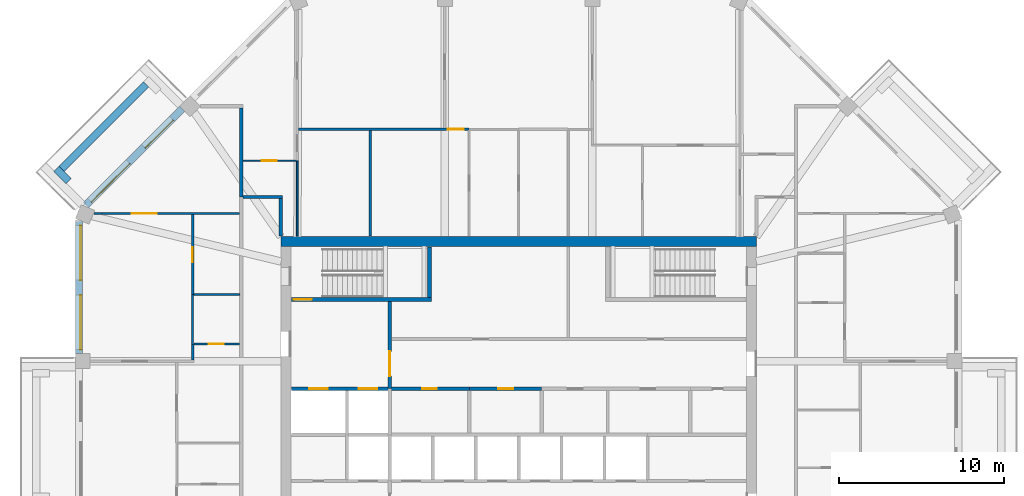
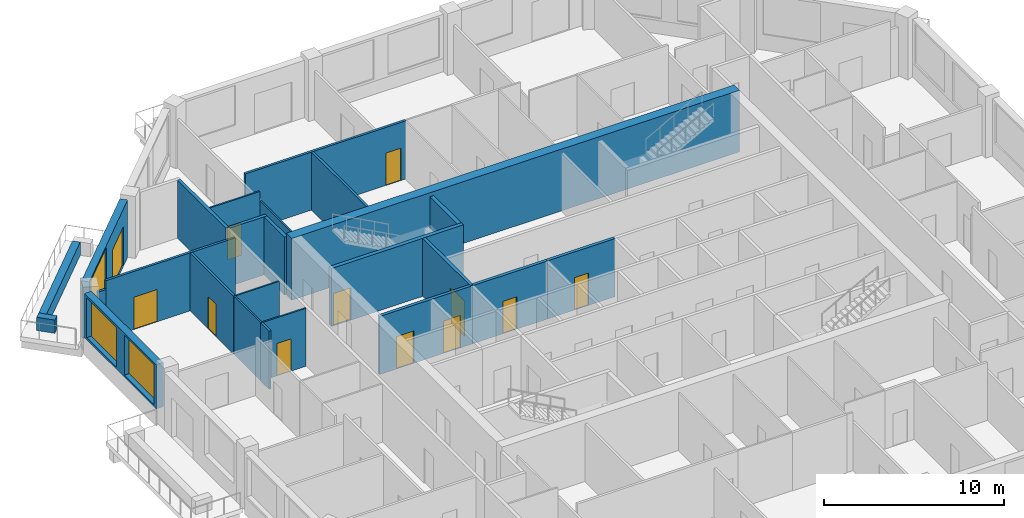
# One storey, part 7 of 12: 25 walls, 12 doors, 3 windows, 15 openings.
"""IFC4 building model written with IfcOpenShell, lengths in metres."""

import ifcopenshell
import ifcopenshell.guid

model = None  # the IFC model being written
_history = None  # IfcOwnerHistory: only IFC2X3 demands one
_inside = {}  # id of a spatial element -> (the spatial element, [elements in it])
_under = {}  # id of a project, library or spatial element -> (it, [spatial elements below it])
_declared = {}  # id of a project -> (the project, [libraries it declares])
_typed = {}  # id of a type object -> (the type object, [elements of that type])
_made_of = {}  # id of a material, layer set ... -> (it, [elements and type objects made of it])


def new_model(schema):
    """Start an empty IFC model of exactly this schema.

    Asked for "IFC4X3", IfcOpenShell would pick the latest addendum, in which some entities
    have other attributes; the version numbers below select the first issue.
    IFC2X3 requires an IfcOwnerHistory on every rooted entity: one is made here for all.
    """
    global model, _history
    if schema == "IFC4X3":
        model = ifcopenshell.file(schema_version=(4, 3, 0, 0))
    else:
        model = ifcopenshell.file(schema=schema)
    _inside.clear()
    _under.clear()
    _declared.clear()
    _typed.clear()
    _made_of.clear()
    _history = None
    if model.schema == "IFC2X3":
        org = make("IfcOrganization", Name="unknown")
        user = make(
            "IfcPersonAndOrganization",
            ThePerson=make("IfcPerson", FamilyName="unknown"),
            TheOrganization=org,
        )
        app = make(
            "IfcApplication",
            ApplicationDeveloper=org,
            Version="unknown",
            ApplicationFullName="unknown",
            ApplicationIdentifier="unknown",
        )
        _history = make(
            "IfcOwnerHistory",
            OwningUser=user,
            OwningApplication=app,
            ChangeAction="ADDED",
            CreationDate=0,
        )
    return model


def make(cls, **values):
    """One entity of the class cls with the attributes given. An attribute that is None is left unset."""
    return model.create_entity(
        cls, **{name: value for name, value in values.items() if value is not None}
    )


def rooted(cls, **values):
    """An entity with a GlobalId (a new one), such as an element, a storey or a relation."""
    return make(cls, GlobalId=ifcopenshell.guid.new(), OwnerHistory=_history, **values)


def si_unit(unit_type, name, prefix=None):
    """IfcSIUnit, for example si_unit("LENGTHUNIT", "METRE", prefix="MILLI")."""
    return make("IfcSIUnit", UnitType=unit_type, Prefix=prefix, Name=name)


def assignment(units):
    """IfcUnitAssignment: the units of a project."""
    return None if units is None else make("IfcUnitAssignment", Units=units)


def point(xyz):
    """IfcCartesianPoint."""
    return None if xyz is None else make("IfcCartesianPoint", Coordinates=xyz)


def direction(xyz):
    """IfcDirection."""
    return None if xyz is None else make("IfcDirection", DirectionRatios=xyz)


def frame(location, z_axis=None, x_axis=None):
    """IfcAxis2Placement3D, a coordinate frame: its origin and axes. An axis left out is left unset."""
    return make(
        "IfcAxis2Placement3D",
        Location=point(location),
        Axis=direction(z_axis),
        RefDirection=direction(x_axis),
    )


def frame_2d(location, x_axis=None):
    """IfcAxis2Placement2D, a coordinate frame in the plane: its origin and x axis."""
    return make(
        "IfcAxis2Placement2D", Location=point(location), RefDirection=direction(x_axis)
    )


def origin():
    """The frame at (0, 0, 0) with its axes left unset."""
    return frame((0.0, 0.0, 0.0))


def place(relative_to, where):
    """IfcLocalPlacement: puts the frame where relative to a parent placement (None: the world)."""
    return make(
        "IfcLocalPlacement", PlacementRelTo=relative_to, RelativePlacement=where
    )


def context(
    kind, dimensions, precision=None, world=None, true_north=None, identifier=None
):
    """IfcGeometricRepresentationContext, for example the 3D "Model" context."""
    return make(
        "IfcGeometricRepresentationContext",
        ContextIdentifier=identifier,
        ContextType=kind,
        CoordinateSpaceDimension=dimensions,
        Precision=precision,
        WorldCoordinateSystem=world,
        TrueNorth=true_north,
    )


def subcontext(parent, identifier, kind, view, scale=None):
    """IfcGeometricRepresentationSubContext, for example "Body" below "Model"."""
    return make(
        "IfcGeometricRepresentationSubContext",
        ContextIdentifier=identifier,
        ContextType=kind,
        ParentContext=parent,
        TargetScale=scale,
        TargetView=view,
    )


def project(units=None, contexts=None):
    """IfcProject with its units and contexts."""
    return rooted(
        "IfcProject",
        Name="project",
        RepresentationContexts=contexts,
        UnitsInContext=assignment(units),
    )


def spatial(cls, under=None, at=None, **own):
    """A site, building, storey or space (cls), placed at a placement, below another one or the project."""
    s = rooted(cls, ObjectPlacement=at, **own)
    if under is not None:
        _under.setdefault(under.id(), (under, []))[1].append(s)
    return s


def profile(cls, at=None, kind="AREA", **sizes):
    """A parametric profile (cls). Its sizes go by their IFC names, for example OverallWidth=200.0."""
    return make(cls, ProfileType=kind, Position=at, **sizes)


def rectangle(**sizes):
    """IfcRectangleProfileDef."""
    return profile("IfcRectangleProfileDef", **sizes)


def extrude(swept, where, along, depth):
    """IfcExtrudedAreaSolid: the profile swept, set in the frame where, extruded along a direction by depth."""
    return make(
        "IfcExtrudedAreaSolid",
        SweptArea=swept,
        Position=where,
        ExtrudedDirection=direction(along),
        Depth=depth,
    )


def shape(context_of_items, identifier, shape_type, items):
    """IfcShapeRepresentation: the items that make up one representation, for example the "Body"."""
    return make(
        "IfcShapeRepresentation",
        ContextOfItems=context_of_items,
        RepresentationIdentifier=identifier,
        RepresentationType=shape_type,
        Items=items,
    )


def material(Name=None, Category=None):
    """IfcMaterial."""
    return make("IfcMaterial", Name=Name, Category=Category)


def layer(
    of_material, thickness, ventilated=None, Name=None, Category=None, Priority=None
):
    """IfcMaterialLayer: one layer of a wall or slab, of a material (None: an air gap)."""
    return make(
        "IfcMaterialLayer",
        Material=of_material,
        LayerThickness=thickness,
        IsVentilated=ventilated,
        Name=Name,
        Category=Category,
        Priority=Priority,
    )


def layer_set(layers, Name=None):
    """IfcMaterialLayerSet."""
    return make("IfcMaterialLayerSet", MaterialLayers=layers, LayerSetName=Name)


def made_of(thing, what):
    """Note that an element or type object is made of a material, layer set ...; save() writes the relation."""
    if what is not None:
        _made_of.setdefault(what.id(), (what, []))[1].append(thing)
    return thing


def type_object(cls, material=None, **own):
    """A type object (cls), such as IfcWallType, which elements share."""
    return made_of(rooted(cls, **own), material)


def element(
    cls,
    number,
    at=None,
    inside=None,
    cuts=None,
    type_object=None,
    material=None,
    context=None,
    identifier="Body",
    shape_type=None,
    held_by="IfcProductDefinitionShape",
    body=None,
    shapes=None,
    **own,
):
    """One element of the class cls, such as IfcWall. Its Tag is "e" and its number.

    at: its placement. inside: the storey or other place that contains it. cuts: it is an
    opening in that element (IfcRelVoidsElement). A single representation is given by context,
    identifier, shape_type and body (its items); several are given by shapes. held_by: the class
    of the entity that holds the representations. save() writes the other relations.
    """
    e = rooted(cls, Tag="e%d" % number, ObjectPlacement=at, **own)
    if body is not None:
        shapes = [shape(context, identifier, shape_type, body)]
    if shapes is not None:
        e.Representation = make(held_by, Representations=shapes)
    if inside is not None:
        _inside.setdefault(inside.id(), (inside, []))[1].append(e)
    if cuts is not None:
        rooted(
            "IfcRelVoidsElement", RelatingBuildingElement=cuts, RelatedOpeningElement=e
        )
    if type_object is not None:
        _typed.setdefault(type_object.id(), (type_object, []))[1].append(e)
    return made_of(e, material)


def fill(opening, filler):
    """IfcRelFillsElement: the door or window that sits in an opening."""
    return rooted(
        "IfcRelFillsElement",
        RelatingOpeningElement=opening,
        RelatedBuildingElement=filler,
    )


def aggregate(whole, parts):
    """IfcRelAggregates: a whole, such as a stair, and the parts it consists of."""
    return rooted("IfcRelAggregates", RelatingObject=whole, RelatedObjects=parts)


def save(model, path):
    """Write the relations noted so far, then the file.

    IfcRelAggregates (storeys below a building ...), IfcRelContainedInSpatialStructure (elements
    in a storey), IfcRelDefinesByType, IfcRelAssociatesMaterial and IfcRelDeclares: one each for
    every whole, place, type object, material and project.
    """
    for whole, parts in _under.values():
        aggregate(whole, parts)
    for where, things in _inside.values():
        rooted(
            "IfcRelContainedInSpatialStructure",
            RelatedElements=things,
            RelatingStructure=where,
        )
    for kind, things in _typed.values():
        rooted("IfcRelDefinesByType", RelatedObjects=things, RelatingType=kind)
    for what, things in _made_of.values():
        rooted("IfcRelAssociatesMaterial", RelatedObjects=things, RelatingMaterial=what)
    for by, libraries in _declared.values():
        rooted("IfcRelDeclares", RelatingContext=by, RelatedDefinitions=libraries)
    model.write(path)


model = new_model("IFC4")

# Units and contexts
model_context = context("Model", 3, precision=1e-05, world=origin(), true_north=direction((0.0, 1.0)))
body_context = subcontext(model_context, "Body", "Model", "MODEL_VIEW")
ifc_project = project(units=[si_unit("LENGTHUNIT", "METRE"), si_unit("AREAUNIT", "SQUARE_METRE"), si_unit("VOLUMEUNIT", "CUBIC_METRE"), si_unit("PLANEANGLEUNIT", "RADIAN"), si_unit("MASSUNIT", "GRAM", prefix="KILO")], contexts=[model_context])

# Site, building, storey
site_placement = place(None, origin())
site = spatial("IfcSite", under=ifc_project, at=site_placement, CompositionType="ELEMENT")
building_placement = place(site_placement, origin())
building = spatial("IfcBuilding", under=site, at=building_placement, Name="Msitu Wima Residences", CompositionType="ELEMENT")
storey_placement = place(building_placement, frame((0.0, 0.0, 222.300048828125)))
storey = spatial("IfcBuildingStorey", under=building, at=storey_placement, Name="L51", CompositionType="ELEMENT", Elevation=222.300048828125)

# Walls
ifc_material_1 = material(Name="Facing brick")
ifc_layer_1 = layer(ifc_material_1, 0.06494140625, Name="Facing brick")
ifc_material_2 = material(Name="Concrete C40/50", Category="concrete")
ifc_layer_2 = layer(ifc_material_2, 0.156005859375, Name="Concrete C40/50")
ifc_material_3 = material(Name="Waterproofing membrane")
ifc_layer_3 = layer(ifc_material_3, 0.00390625, Name="Waterproofing membrane")
ifc_material_4 = material(Name="Planting soil and planting")
ifc_layer_4 = layer(ifc_material_4, 0.22509765625, Name="Planting soil and planting")
ifc_layer_set_1 = layer_set([ifc_layer_1, ifc_layer_2, ifc_layer_3, ifc_layer_4], Name="Concrete C40/50")
wall_type_1 = type_object("IfcWallType", Name="Balcony planter PLANTER PL450", PredefinedType="USERDEFINED", material=ifc_layer_set_1)
wall_1_placement = place(storey_placement, frame((-22.572265625, 21.228759765625, 0.0), z_axis=(0.0, 0.0, 1.0), x_axis=(-0.707106781187, -0.707106781187, 0.0)))
element("IfcWall", 1, at=wall_1_placement, inside=storey, type_object=wall_type_1, Name="Balcony planter NW1 L51", ObjectType="PLANTER", PredefinedType="USERDEFINED", context=body_context, shape_type="SweptSolid", body=[
    extrude(rectangle(XDim=7.23828125, YDim=0.449951171875, at=frame_2d((3.619140625, 0.0))), origin(), (0.0, 0.0, 1.0), 0.89990234375),
])
wall_2_placement = place(storey_placement, frame((-27.26611328125, 15.3681640625, 0.0), z_axis=(0.0, 0.0, 1.0), x_axis=(-0.707223014731, 0.706990528533, 0.0)))
element("IfcWall", 2, at=wall_2_placement, inside=storey, type_object=wall_type_1, Name="Balcony planter NW1 L51", ObjectType="PLANTER", PredefinedType="USERDEFINED", context=body_context, shape_type="SweptSolid", body=[
    extrude(rectangle(XDim=1.050048828125, YDim=0.449951171875, at=frame_2d((0.52490234375, 0.0))), origin(), (0.0, 0.0, 1.0), 0.89990234375),
])

# Wall, openings, door, window
ifc_material_5 = material(Name="Brick (red buff mix)", Category="masonry")
ifc_layer_5 = layer(ifc_material_5, 0.449951171875)
ifc_layer_set_2 = layer_set([ifc_layer_5], Name="Brick (red buff mix)")
wall_type_2 = type_object("IfcWallType", Name="Brick infill wall BW450", PredefinedType="SOLIDWALL", material=ifc_layer_set_2)
wall_3_placement = place(storey_placement, frame((-20.380126953125, 19.743896484375, 0.0), z_axis=(0.0, 0.0, 1.0), x_axis=(-0.707106781187, -0.707106781187, 0.0)))
wall_3 = element("IfcWall", 3, at=wall_3_placement, inside=storey, type_object=wall_type_2, Name="Brick infill wall L51 NW1", PredefinedType="SOLIDWALL", context=body_context, shape_type="SweptSolid", body=[
    extrude(rectangle(XDim=8.251220703125, YDim=0.449951171875, at=frame_2d((4.12548828125, 0.0))), origin(), (0.0, 0.0, 1.0), 3.89990234375),
])
opening_1_placement = place(wall_3_placement, frame((0.86279296875, 0.0, 0.0)))
opening_1 = element("IfcOpeningElement", 4, at=opening_1_placement, cuts=wall_3, Name="Opening D50-51.005", PredefinedType="OPENING", context=body_context, shape_type="SweptSolid", body=[
    extrude(rectangle(XDim=2.39990234375, YDim=2.699951171875, at=frame_2d((1.199951171875, 1.35009765625))), frame((0.0, 0.23486328125, 0.0), z_axis=(0.0, -1.0, 0.0), x_axis=(1.0, 0.0, 0.0)), (0.0, 0.0, 1.0), 0.469970703125),
])
opening_2_placement = place(wall_3_placement, frame((4.57568359375, 0.0, 1.050048828125)))
opening_2 = element("IfcOpeningElement", 5, at=opening_2_placement, cuts=wall_3, Name="Opening W50-51.015", PredefinedType="OPENING", context=body_context, shape_type="SweptSolid", body=[
    extrude(rectangle(XDim=3.300048828125, YDim=2.699951171875, at=frame_2d((1.64990234375, 1.35009765625))), frame((0.0, 0.23486328125, 0.0), z_axis=(0.0, -1.0, 0.0), x_axis=(1.0, 0.0, 0.0)), (0.0, 0.0, 1.0), 0.469970703125),
])
ifc_material_6 = material(Name="Anodised aluminium, bronze finish, clear low-emissivity double glazing", Category="aluminium")
door_type_1 = type_object("IfcDoorType", Name="Balcony door D2400x2700", OperationType="SLIDING_TO_LEFT", PredefinedType="DOOR", material=ifc_material_6)
door_1_placement = place(opening_1_placement, origin())
door_1 = element("IfcDoor", 6, at=door_1_placement, inside=storey, type_object=door_type_1, Name="Balcony door L51 NW1", OperationType="SINGLE_SWING_LEFT", OverallHeight=2.699951171875, OverallWidth=2.39990234375, PredefinedType="DOOR", context=body_context, shape_type="SweptSolid", body=[
    extrude(rectangle(XDim=2.39990234375, YDim=2.699951171875, at=frame_2d((1.199951171875, 1.35009765625))), frame((0.0, 0.1298828125, 0.0), z_axis=(0.0, -1.0, 0.0), x_axis=(1.0, 0.0, 0.0)), (0.0, 0.0, 1.0), 0.050048828125),
])
fill(opening_1, door_1)
window_type = type_object("IfcWindowType", Name="Window W3300x2700", PartitioningType="DOUBLE_PANEL_VERTICAL", PredefinedType="WINDOW", material=ifc_material_6)
window_1_placement = place(opening_2_placement, origin())
window_1 = element("IfcWindow", 7, at=window_1_placement, inside=storey, type_object=window_type, Name="Window L51 NW1.2", OverallHeight=2.699951171875, OverallWidth=3.300048828125, PartitioningType="SINGLE_PANEL", PredefinedType="WINDOW", context=body_context, shape_type="SweptSolid", body=[
    extrude(rectangle(XDim=3.300048828125, YDim=2.699951171875, at=frame_2d((1.64990234375, 1.35009765625))), frame((0.0, 0.135009765625, 0.0), z_axis=(0.0, -1.0, 0.0), x_axis=(1.0, 0.0, 0.0)), (0.0, 0.0, 1.0), 0.06005859375),
])
fill(opening_2, window_1)

# Wall, openings, windows
wall_4_placement = place(storey_placement, frame((-26.625, 12.918701171875, 0.89990234375), z_axis=(0.0, 0.0, 1.0), x_axis=(0.0, -1.0, 0.0)))
wall_4 = element("IfcWall", 8, at=wall_4_placement, inside=storey, type_object=wall_type_2, Name="Brick infill wall L51 W0", PredefinedType="SOLIDWALL", context=body_context, shape_type="SweptSolid", body=[
    extrude(rectangle(XDim=8.0, YDim=0.449951171875, at=frame_2d((4.0, 0.0))), origin(), (0.0, 0.0, 1.0), 3.0),
])
opening_3_placement = place(wall_4_placement, frame((0.25, 0.0, 0.14990234375)))
opening_3 = element("IfcOpeningElement", 9, at=opening_3_placement, cuts=wall_4, Name="Opening W50-51.026", PredefinedType="OPENING", context=body_context, shape_type="SweptSolid", body=[
    extrude(rectangle(XDim=3.300048828125, YDim=2.699951171875, at=frame_2d((1.64990234375, 1.35009765625))), frame((0.0, 0.23486328125, 0.0), z_axis=(0.0, -1.0, 0.0), x_axis=(1.0, 0.0, 0.0)), (0.0, 0.0, 1.0), 0.469970703125),
])
opening_4_placement = place(wall_4_placement, frame((4.4501953125, 0.0, 0.14990234375)))
opening_4 = element("IfcOpeningElement", 10, at=opening_4_placement, cuts=wall_4, Name="Opening W50-51.027", PredefinedType="OPENING", context=body_context, shape_type="SweptSolid", body=[
    extrude(rectangle(XDim=3.300048828125, YDim=2.699951171875, at=frame_2d((1.64990234375, 1.35009765625))), frame((0.0, 0.23486328125, 0.0), z_axis=(0.0, -1.0, 0.0), x_axis=(1.0, 0.0, 0.0)), (0.0, 0.0, 1.0), 0.469970703125),
])
window_2_placement = place(opening_3_placement, origin())
window_2 = element("IfcWindow", 11, at=window_2_placement, inside=storey, type_object=window_type, Name="Window L51 W0.1", OverallHeight=2.699951171875, OverallWidth=3.300048828125, PartitioningType="SINGLE_PANEL", PredefinedType="WINDOW", context=body_context, shape_type="SweptSolid", body=[
    extrude(rectangle(XDim=3.300048828125, YDim=2.699951171875, at=frame_2d((1.64990234375, 1.35009765625))), frame((0.0, 0.135009765625, 0.0), z_axis=(0.0, -1.0, 0.0), x_axis=(1.0, 0.0, 0.0)), (0.0, 0.0, 1.0), 0.06005859375),
])
fill(opening_3, window_2)
window_3_placement = place(opening_4_placement, origin())
window_3 = element("IfcWindow", 12, at=window_3_placement, inside=storey, type_object=window_type, Name="Window L51 W0.2", OverallHeight=2.699951171875, OverallWidth=3.300048828125, PartitioningType="SINGLE_PANEL", PredefinedType="WINDOW", context=body_context, shape_type="SweptSolid", body=[
    extrude(rectangle(XDim=3.300048828125, YDim=2.699951171875, at=frame_2d((1.64990234375, 1.35009765625))), frame((0.0, 0.135009765625, 0.0), z_axis=(0.0, -1.0, 0.0), x_axis=(1.0, 0.0, 0.0)), (0.0, 0.0, 1.0), 0.06005859375),
])
fill(opening_4, window_3)

# Walls
ifc_material_7 = material(Name="Concrete C50/60", Category="concrete")
ifc_layer_6 = layer(ifc_material_7, 0.60009765625)
ifc_layer_set_3 = layer_set([ifc_layer_6], Name="Concrete C50/60")
wall_type_3 = type_object("IfcWallType", Name="Core wall CW600 C50/60", PredefinedType="SHEAR", material=ifc_layer_set_3)
wall_5_placement = place(storey_placement, frame((-14.39990234375, 11.699951171875, 0.0), z_axis=(0.0, 0.0, 1.0), x_axis=(1.0, 0.0, 0.0)))
element("IfcWall", 13, at=wall_5_placement, inside=storey, type_object=wall_type_3, Name="Core wall", PredefinedType="SHEAR", context=body_context, shape_type="SweptSolid", body=[
    extrude(rectangle(XDim=28.7998046875, YDim=0.60009765625, at=frame_2d((14.39990234375, 0.0))), origin(), (0.0, 0.0, 1.0), 4.199951171875),
])
ifc_material_8 = material(Name="Plaster")
ifc_layer_7 = layer(ifc_material_8, 0.011962890625, Name="Plaster")
ifc_material_9 = material(Name="Concrete blockwork", Category="masonry")
ifc_layer_8 = layer(ifc_material_9, 0.176025390625, Name="Concrete blockwork")
ifc_layer_9 = layer(ifc_material_8, 0.011962890625, Name="Plaster")
ifc_layer_set_4 = layer_set([ifc_layer_7, ifc_layer_8, ifc_layer_9], Name="Concrete blockwork")
wall_type_4 = type_object("IfcWallType", Name="Corridor wall FW200", PredefinedType="PARTITIONING", material=ifc_layer_set_4)
wall_6_placement = place(storey_placement, frame((-16.699951171875, 14.39990234375, 0.0), z_axis=(0.0, 0.0, 1.0), x_axis=(1.0, 0.0, 0.0)))
element("IfcWall", 14, at=wall_6_placement, inside=storey, type_object=wall_type_4, Name="Corridor wall", PredefinedType="PARTITIONING", context=body_context, shape_type="SweptSolid", body=[
    extrude(rectangle(XDim=2.39990234375, YDim=0.199951171875, at=frame_2d((1.199951171875, 0.0))), origin(), (0.0, 0.0, 1.0), 3.949951171875),
])
wall_7_placement = place(storey_placement, frame((-14.39990234375, 12.030029296875, 0.0), z_axis=(0.0, 0.0, 1.0), x_axis=(0.0, 1.0, 0.0)))
element("IfcWall", 15, at=wall_7_placement, inside=storey, type_object=wall_type_4, Name="Corridor wall", PredefinedType="PARTITIONING", context=body_context, shape_type="SweptSolid", body=[
    extrude(rectangle(XDim=2.27001953125, YDim=0.199951171875, at=frame_2d((1.135009765625, 0.0))), origin(), (0.0, 0.0, 1.0), 3.949951171875),
])

# Wall, opening, door
wall_8_placement = place(storey_placement, frame((-7.800048828125, 2.800048828125, 0.0), z_axis=(0.0, 0.0, 1.0), x_axis=(1.0, 0.0, 0.0)))
wall_8 = element("IfcWall", 16, at=wall_8_placement, inside=storey, type_object=wall_type_4, Name="Corridor wall", PredefinedType="PARTITIONING", context=body_context, shape_type="SweptSolid", body=[
    extrude(rectangle(XDim=4.820068359375, YDim=0.199951171875, at=frame_2d((2.41015625, 0.0))), origin(), (0.0, 0.0, 1.0), 3.949951171875),
])
opening_5_placement = place(wall_8_placement, frame((1.949951171875, 0.0, 0.0)))
opening_5 = element("IfcOpeningElement", 17, at=opening_5_placement, cuts=wall_8, Name="Opening D50-51.074", PredefinedType="OPENING", context=body_context, shape_type="SweptSolid", body=[
    extrude(rectangle(XDim=0.89990234375, YDim=2.199951171875, at=frame_2d((0.449951171875, 1.10009765625))), frame((0.0, 0.10986328125, 0.0), z_axis=(0.0, -1.0, 0.0), x_axis=(1.0, 0.0, 0.0)), (0.0, 0.0, 1.0), 0.219970703125),
])
ifc_material_10 = material(Name="Timber flush door", Category="wood")
door_type_2 = type_object("IfcDoorType", Name="Service door D05 900x2200", OperationType="SINGLE_SWING_LEFT", PredefinedType="DOOR", material=ifc_material_10)
door_2_placement = place(opening_5_placement, origin())
door_2 = element("IfcDoor", 18, at=door_2_placement, inside=storey, type_object=door_type_2, Name="Service door", OperationType="SINGLE_SWING_RIGHT", OverallHeight=2.199951171875, OverallWidth=0.89990234375, PredefinedType="DOOR", context=body_context, shape_type="SweptSolid", body=[
    extrude(rectangle(XDim=0.89990234375, YDim=2.199951171875, at=frame_2d((0.449951171875, 1.10009765625))), frame((0.0, 0.02490234375, 0.0), z_axis=(0.0, -1.0, 0.0), x_axis=(1.0, 0.0, 0.0)), (0.0, 0.0, 1.0), 0.050048828125),
])
fill(opening_5, door_2)

wall_9_placement = place(storey_placement, frame((-7.800048828125, 2.800048828125, 0.0), z_axis=(0.0, 0.0, 1.0), x_axis=(0.0, 1.0, 0.0)))
wall_9 = element("IfcWall", 19, at=wall_9_placement, inside=storey, type_object=wall_type_4, Name="Corridor wall", PredefinedType="PARTITIONING", context=body_context, shape_type="SweptSolid", body=[
    extrude(rectangle(XDim=5.27490234375, YDim=0.199951171875, at=frame_2d((2.637451171875, 0.0))), origin(), (0.0, 0.0, 1.0), 3.949951171875),
])
opening_6_placement = place(wall_9_placement, frame((0.75, 0.0, 0.0)))
opening_6 = element("IfcOpeningElement", 20, at=opening_6_placement, cuts=wall_9, Name="Opening D50-51.062", PredefinedType="OPENING", context=body_context, shape_type="SweptSolid", body=[
    extrude(rectangle(XDim=1.5, YDim=2.39990234375, at=frame_2d((0.75, 1.199951171875))), frame((0.0, 0.10986328125, 0.0), z_axis=(0.0, -1.0, 0.0), x_axis=(1.0, 0.0, 0.0)), (0.0, 0.0, 1.0), 0.219970703125),
])
ifc_material_11 = material(Name="Steel framed glazed door, fire resisting", Category="steel")
door_type_3 = type_object("IfcDoorType", Name="Lobby door D07 1500x2400", OperationType="DOUBLE_DOOR_SINGLE_SWING", PredefinedType="DOOR", material=ifc_material_11)
door_3_placement = place(opening_6_placement, origin())
door_3 = element("IfcDoor", 21, at=door_3_placement, inside=storey, type_object=door_type_3, Name="Lobby door", OperationType="DOUBLE_DOOR_SINGLE_SWING", OverallHeight=2.39990234375, OverallWidth=1.5, PredefinedType="DOOR", context=body_context, shape_type="SweptSolid", body=[
    extrude(rectangle(XDim=1.5, YDim=2.39990234375, at=frame_2d((0.75, 1.199951171875))), frame((0.0, 0.02490234375, 0.0), z_axis=(0.0, -1.0, 0.0), x_axis=(1.0, 0.0, 0.0)), (0.0, 0.0, 1.0), 0.050048828125),
])
fill(opening_6, door_3)

# Wall
ifc_layer_10 = layer(ifc_material_8, 0.011962890625, Name="Plaster")
ifc_layer_11 = layer(ifc_material_9, 0.1259765625, Name="Concrete blockwork")
ifc_layer_12 = layer(ifc_material_8, 0.011962890625, Name="Plaster")
ifc_layer_set_5 = layer_set([ifc_layer_10, ifc_layer_11, ifc_layer_12], Name="Concrete blockwork")
wall_type_5 = type_object("IfcWallType", Name="Partition PW150", PredefinedType="PARTITIONING", material=ifc_layer_set_5)
wall_10_placement = place(storey_placement, frame((-25.731201171875, 13.406005859375, 0.0), z_axis=(0.0, 0.0, 1.0), x_axis=(1.0, 0.0, 0.0)))
element("IfcWall", 22, at=wall_10_placement, inside=storey, type_object=wall_type_5, Name="Partition", PredefinedType="PARTITIONING", context=body_context, shape_type="SweptSolid", body=[
    extrude(rectangle(XDim=0.507080078125, YDim=0.14990234375, at=frame_2d((0.25341796875, 0.0))), origin(), (0.0, 0.0, 1.0), 3.349853515625),
])

# Wall, opening, door
wall_11_placement = place(storey_placement, frame((-25.22412109375, 13.406005859375, 0.0), z_axis=(0.0, 0.0, 1.0), x_axis=(1.0, 0.0, 0.0)))
wall_11 = element("IfcWall", 23, at=wall_11_placement, inside=storey, type_object=wall_type_5, Name="Partition", PredefinedType="PARTITIONING", context=body_context, shape_type="SweptSolid", body=[
    extrude(rectangle(XDim=8.32421875, YDim=0.14990234375, at=frame_2d((4.162109375, 0.0))), origin(), (0.0, 0.0, 1.0), 3.949951171875),
])
opening_7_placement = place(wall_11_placement, frame((1.79296875, 0.0, 0.0)))
opening_7 = element("IfcOpeningElement", 24, at=opening_7_placement, cuts=wall_11, Name="Opening D50-51.043", PredefinedType="OPENING", context=body_context, shape_type="SweptSolid", body=[
    extrude(rectangle(XDim=1.5, YDim=2.199951171875, at=frame_2d((0.75, 1.10009765625))), frame((0.0, 0.0849609375, 0.0), z_axis=(0.0, -1.0, 0.0), x_axis=(1.0, 0.0, 0.0)), (0.0, 0.0, 1.0), 0.169921875),
])
ifc_material_12 = material(Name="Timber double door", Category="wood")
door_type_4 = type_object("IfcDoorType", Name="Double door D04 1500x2200", OperationType="DOUBLE_DOOR_SINGLE_SWING", PredefinedType="DOOR", material=ifc_material_12)
door_4_placement = place(opening_7_placement, origin())
door_4 = element("IfcDoor", 25, at=door_4_placement, inside=storey, type_object=door_type_4, Name="Double door", OperationType="DOUBLE_DOOR_SINGLE_SWING", OverallHeight=2.199951171875, OverallWidth=1.5, PredefinedType="DOOR", context=body_context, shape_type="SweptSolid", body=[
    extrude(rectangle(XDim=1.5, YDim=2.199951171875, at=frame_2d((0.75, 1.10009765625))), frame((0.0, 0.02490234375, 0.0), z_axis=(0.0, -1.0, 0.0), x_axis=(1.0, 0.0, 0.0)), (0.0, 0.0, 1.0), 0.050048828125),
])
fill(opening_7, door_4)

# Wall
wall_12_placement = place(storey_placement, frame((-19.75, 4.543701171875, 0.0), z_axis=(0.0, 0.0, 1.0), x_axis=(0.0, 1.0, 0.0)))
element("IfcWall", 26, at=wall_12_placement, inside=storey, type_object=wall_type_5, Name="Partition", PredefinedType="PARTITIONING", context=body_context, shape_type="SweptSolid", body=[
    extrude(rectangle(XDim=0.936279296875, YDim=0.14990234375, at=frame_2d((0.46826171875, 0.0))), origin(), (0.0, 0.0, 1.0), 3.949951171875),
])

# Wall, opening, door
wall_13_placement = place(storey_placement, frame((-19.75, 8.5, 0.0), z_axis=(0.0, 0.0, 1.0), x_axis=(0.0, 1.0, 0.0)))
wall_13 = element("IfcWall", 27, at=wall_13_placement, inside=storey, type_object=wall_type_5, Name="Partition", PredefinedType="PARTITIONING", context=body_context, shape_type="SweptSolid", body=[
    extrude(rectangle(XDim=4.830810546875, YDim=0.14990234375, at=frame_2d((2.41552734375, 0.0))), origin(), (0.0, 0.0, 1.0), 3.949951171875),
])
opening_8_placement = place(wall_13_placement, frame((1.949951171875, 0.0, 0.0)))
opening_8 = element("IfcOpeningElement", 28, at=opening_8_placement, cuts=wall_13, Name="Opening D50-51.037", PredefinedType="OPENING", context=body_context, shape_type="SweptSolid", body=[
    extrude(rectangle(XDim=0.89990234375, YDim=2.199951171875, at=frame_2d((0.449951171875, 1.10009765625))), frame((0.0, 0.0849609375, 0.0), z_axis=(0.0, -1.0, 0.0), x_axis=(1.0, 0.0, 0.0)), (0.0, 0.0, 1.0), 0.169921875),
])
door_5_placement = place(opening_8_placement, origin())
door_5 = element("IfcDoor", 29, at=door_5_placement, inside=storey, type_object=door_type_2, Name="Service door", OperationType="SINGLE_SWING_RIGHT", OverallHeight=2.199951171875, OverallWidth=0.89990234375, PredefinedType="DOOR", context=body_context, shape_type="SweptSolid", body=[
    extrude(rectangle(XDim=0.89990234375, YDim=2.199951171875, at=frame_2d((0.449951171875, 1.10009765625))), frame((0.0, 0.02490234375, 0.0), z_axis=(0.0, -1.0, 0.0), x_axis=(1.0, 0.0, 0.0)), (0.0, 0.0, 1.0), 0.050048828125),
])
fill(opening_8, door_5)

wall_14_placement = place(storey_placement, frame((-13.330810546875, 18.5, 0.0), z_axis=(0.0, 0.0, 1.0), x_axis=(1.0, 0.0, 0.0)))
wall_14 = element("IfcWall", 30, at=wall_14_placement, inside=storey, type_object=wall_type_5, Name="Partition", PredefinedType="PARTITIONING", context=body_context, shape_type="SweptSolid", body=[
    extrude(rectangle(XDim=10.330810546875, YDim=0.14990234375, at=frame_2d((5.16552734375, 0.0))), origin(), (0.0, 0.0, 1.0), 3.949951171875),
])
opening_9_placement = place(wall_14_placement, frame((9.050048828125, 0.0, 0.0)))
opening_9 = element("IfcOpeningElement", 31, at=opening_9_placement, cuts=wall_14, Name="Opening D50-51.031", PredefinedType="OPENING", context=body_context, shape_type="SweptSolid", body=[
    extrude(rectangle(XDim=0.949951171875, YDim=2.199951171875, at=frame_2d((0.47509765625, 1.10009765625))), frame((0.0, 0.0849609375, 0.0), z_axis=(0.0, -1.0, 0.0), x_axis=(1.0, 0.0, 0.0)), (0.0, 0.0, 1.0), 0.169921875),
])
door_type_5 = type_object("IfcDoorType", Name="Room door D12 950x2200", OperationType="SINGLE_SWING_LEFT", PredefinedType="DOOR", material=ifc_material_10)
door_6_placement = place(opening_9_placement, origin())
door_6 = element("IfcDoor", 32, at=door_6_placement, inside=storey, type_object=door_type_5, Name="Room door", OperationType="SINGLE_SWING_LEFT", OverallHeight=2.199951171875, OverallWidth=0.949951171875, PredefinedType="DOOR", context=body_context, shape_type="SweptSolid", body=[
    extrude(rectangle(XDim=0.949951171875, YDim=2.199951171875, at=frame_2d((0.47509765625, 1.10009765625))), frame((0.0, 0.02490234375, 0.0), z_axis=(0.0, -1.0, 0.0), x_axis=(1.0, 0.0, 0.0)), (0.0, 0.0, 1.0), 0.050048828125),
])
fill(opening_9, door_6)

# Walls
wall_15_placement = place(storey_placement, frame((-9.0, 12.030029296875, 0.0), z_axis=(0.0, 0.0, 1.0), x_axis=(0.0, 1.0, 0.0)))
element("IfcWall", 33, at=wall_15_placement, inside=storey, type_object=wall_type_5, Name="Partition", PredefinedType="PARTITIONING", context=body_context, shape_type="SweptSolid", body=[
    extrude(rectangle(XDim=6.39501953125, YDim=0.14990234375, at=frame_2d((3.197509765625, 0.0))), origin(), (0.0, 0.0, 1.0), 3.949951171875),
])
ifc_layer_13 = layer(ifc_material_8, 0.011962890625, Name="Plaster")
ifc_material_13 = material(Name="Dense concrete blockwork", Category="masonry")
ifc_layer_14 = layer(ifc_material_13, 0.176025390625, Name="Dense concrete blockwork")
ifc_layer_15 = layer(ifc_material_8, 0.011962890625, Name="Plaster")
ifc_layer_set_6 = layer_set([ifc_layer_13, ifc_layer_14, ifc_layer_15], Name="Dense concrete blockwork")
wall_type_6 = type_object("IfcWallType", Name="Party wall PW200", PredefinedType="PARTITIONING", material=ifc_layer_set_6)
wall_16_placement = place(storey_placement, frame((-16.800048828125, 14.39990234375, 0.0), z_axis=(0.0, 0.0, 1.0), x_axis=(0.0, 1.0, 0.0)))
element("IfcWall", 34, at=wall_16_placement, inside=storey, type_object=wall_type_6, Name="Party wall", PredefinedType="PARTITIONING", context=body_context, shape_type="SweptSolid", body=[
    extrude(rectangle(XDim=5.403076171875, YDim=0.199951171875, at=frame_2d((2.70166015625, 0.0))), origin(), (0.0, 0.0, 1.0), 3.949951171875),
])

# Wall, opening, door
ifc_layer_16 = layer(ifc_material_8, 0.011962890625, Name="Plaster")
ifc_material_14 = material(Name="Reinforced concrete blockwork", Category="masonry")
ifc_layer_17 = layer(ifc_material_14, 0.176025390625, Name="Reinforced concrete blockwork")
ifc_layer_18 = layer(ifc_material_8, 0.011962890625, Name="Plaster")
ifc_layer_set_7 = layer_set([ifc_layer_16, ifc_layer_17, ifc_layer_18], Name="Reinforced concrete blockwork")
wall_type_7 = type_object("IfcWallType", Name="Plant and riser wall PL200", PredefinedType="PARTITIONING", material=ifc_layer_set_7)
wall_17_placement = place(storey_placement, frame((-2.97998046875, 2.800048828125, 0.0), z_axis=(0.0, 0.0, 1.0), x_axis=(1.0, 0.0, 0.0)))
wall_17 = element("IfcWall", 35, at=wall_17_placement, inside=storey, type_object=wall_type_7, Name="Plant and riser wall", PredefinedType="PARTITIONING", context=body_context, shape_type="SweptSolid", body=[
    extrude(rectangle(XDim=4.35986328125, YDim=0.199951171875, at=frame_2d((2.179931640625, 0.0))), origin(), (0.0, 0.0, 1.0), 3.949951171875),
])
opening_10_placement = place(wall_17_placement, frame((1.75, 0.0, 0.0)))
opening_10 = element("IfcOpeningElement", 36, at=opening_10_placement, cuts=wall_17, Name="Opening D50-51.075", PredefinedType="OPENING", context=body_context, shape_type="SweptSolid", body=[
    extrude(rectangle(XDim=0.89990234375, YDim=2.199951171875, at=frame_2d((0.449951171875, 1.10009765625))), frame((0.0, 0.10986328125, 0.0), z_axis=(0.0, -1.0, 0.0), x_axis=(1.0, 0.0, 0.0)), (0.0, 0.0, 1.0), 0.219970703125),
])
door_7_placement = place(opening_10_placement, origin())
door_7 = element("IfcDoor", 37, at=door_7_placement, inside=storey, type_object=door_type_2, Name="Service door", OperationType="SINGLE_SWING_LEFT", OverallHeight=2.199951171875, OverallWidth=0.89990234375, PredefinedType="DOOR", context=body_context, shape_type="SweptSolid", body=[
    extrude(rectangle(XDim=0.89990234375, YDim=2.199951171875, at=frame_2d((0.449951171875, 1.10009765625))), frame((0.0, 0.02490234375, 0.0), z_axis=(0.0, -1.0, 0.0), x_axis=(1.0, 0.0, 0.0)), (0.0, 0.0, 1.0), 0.050048828125),
])
fill(opening_10, door_7)

# Wall, openings, doors
ifc_material_15 = material(Name="Fire-rated board")
ifc_layer_19 = layer(ifc_material_15, 0.02490234375, Name="Fire-rated board")
ifc_material_16 = material(Name="Light-gauge stud framing with mineral wool")
ifc_layer_20 = layer(ifc_material_16, 0.14990234375, Name="Light-gauge stud framing with mineral wool")
ifc_layer_21 = layer(ifc_material_15, 0.02490234375, Name="Fire-rated board")
ifc_layer_set_8 = layer_set([ifc_layer_19, ifc_layer_20, ifc_layer_21], Name="Light-gauge stud framing with mineral wool")
wall_type_8 = type_object("IfcWallType", Name="Shaft wall SH200", PredefinedType="PARTITIONING", material=ifc_layer_set_8)
wall_18_placement = place(storey_placement, frame((-13.77001953125, 2.800048828125, 0.0), z_axis=(0.0, 0.0, 1.0), x_axis=(1.0, 0.0, 0.0)))
wall_18 = element("IfcWall", 38, at=wall_18_placement, inside=storey, type_object=wall_type_8, Name="Shaft wall", PredefinedType="PARTITIONING", context=body_context, shape_type="SweptSolid", body=[
    extrude(rectangle(XDim=5.969970703125, YDim=0.199951171875, at=frame_2d((2.98486328125, 0.0))), origin(), (0.0, 0.0, 1.0), 3.949951171875),
])
opening_11_placement = place(wall_18_placement, frame((1.10009765625, 0.0, 0.0)))
opening_11 = element("IfcOpeningElement", 39, at=opening_11_placement, cuts=wall_18, Name="Opening LD", PredefinedType="OPENING", context=body_context, shape_type="SweptSolid", body=[
    extrude(rectangle(XDim=1.10009765625, YDim=2.199951171875, at=frame_2d((0.550048828125, 1.10009765625))), frame((0.0, 0.10986328125, 0.0), z_axis=(0.0, -1.0, 0.0), x_axis=(1.0, 0.0, 0.0)), (0.0, 0.0, 1.0), 0.219970703125),
])
opening_12_placement = place(wall_18_placement, frame((4.10009765625, 0.0, 0.0)))
opening_12 = element("IfcOpeningElement", 40, at=opening_12_placement, cuts=wall_18, Name="Opening LD", PredefinedType="OPENING", context=body_context, shape_type="SweptSolid", body=[
    extrude(rectangle(XDim=1.10009765625, YDim=2.199951171875, at=frame_2d((0.550048828125, 1.10009765625))), frame((0.0, 0.10986328125, 0.0), z_axis=(0.0, -1.0, 0.0), x_axis=(1.0, 0.0, 0.0)), (0.0, 0.0, 1.0), 0.219970703125),
])
ifc_material_17 = material(Name="Stainless steel centre-opening landing door, rated", Category="steel")
door_type_6 = type_object("IfcDoorType", Name="Lift landing door LD 1100x2200", OperationType="DOUBLE_DOOR_SLIDING", PredefinedType="DOOR", material=ifc_material_17)
door_8_placement = place(opening_11_placement, origin())
door_8 = element("IfcDoor", 41, at=door_8_placement, inside=storey, type_object=door_type_6, Name="Lift landing door LD1", OperationType="DOUBLE_DOOR_SLIDING", OverallHeight=2.199951171875, OverallWidth=1.10009765625, PredefinedType="DOOR", context=body_context, shape_type="SweptSolid", body=[
    extrude(rectangle(XDim=1.10009765625, YDim=2.199951171875, at=frame_2d((0.550048828125, 1.10009765625))), frame((0.0, 0.02490234375, 0.0), z_axis=(0.0, -1.0, 0.0), x_axis=(1.0, 0.0, 0.0)), (0.0, 0.0, 1.0), 0.050048828125),
])
fill(opening_11, door_8)
door_9_placement = place(opening_12_placement, origin())
door_9 = element("IfcDoor", 42, at=door_9_placement, inside=storey, type_object=door_type_6, Name="Lift landing door LD2", OperationType="DOUBLE_DOOR_SLIDING", OverallHeight=2.199951171875, OverallWidth=1.10009765625, PredefinedType="DOOR", context=body_context, shape_type="SweptSolid", body=[
    extrude(rectangle(XDim=1.10009765625, YDim=2.199951171875, at=frame_2d((0.550048828125, 1.10009765625))), frame((0.0, 0.02490234375, 0.0), z_axis=(0.0, -1.0, 0.0), x_axis=(1.0, 0.0, 0.0)), (0.0, 0.0, 1.0), 0.050048828125),
])
fill(opening_12, door_9)

# Wall, opening, door
ifc_layer_22 = layer(ifc_material_7, 0.25)
ifc_layer_set_9 = layer_set([ifc_layer_22], Name="Concrete C50/60")
wall_type_9 = type_object("IfcWallType", Name="Stair enclosure wall SW250", PredefinedType="SHEAR", material=ifc_layer_set_9)
wall_19_placement = place(storey_placement, frame((-13.77001953125, 8.199951171875, 0.0), z_axis=(0.0, 0.0, 1.0), x_axis=(1.0, 0.0, 0.0)))
wall_19 = element("IfcWall", 43, at=wall_19_placement, inside=storey, type_object=wall_type_9, Name="Stair enclosure wall", PredefinedType="SHEAR", context=body_context, shape_type="SweptSolid", body=[
    extrude(rectangle(XDim=8.4951171875, YDim=0.25, at=frame_2d((4.24755859375, 0.0))), origin(), (0.0, 0.0, 1.0), 3.949951171875),
])
opening_13_placement = place(wall_19_placement, frame((0.14990234375, 0.0, 0.0)))
opening_13 = element("IfcOpeningElement", 44, at=opening_13_placement, cuts=wall_19, Name="Opening D50-51.081", PredefinedType="OPENING", context=body_context, shape_type="SweptSolid", body=[
    extrude(rectangle(XDim=1.10009765625, YDim=2.199951171875, at=frame_2d((0.550048828125, 1.10009765625))), frame((0.0, 0.135009765625, 0.0), z_axis=(0.0, -1.0, 0.0), x_axis=(1.0, 0.0, 0.0)), (0.0, 0.0, 1.0), 0.27001953125),
])
ifc_material_18 = material(Name="Steel door, fire resisting, panic bar", Category="steel")
door_type_7 = type_object("IfcDoorType", Name="Stair door D06 1100x2200", OperationType="SINGLE_SWING_LEFT", PredefinedType="DOOR", material=ifc_material_18)
door_10_placement = place(opening_13_placement, origin())
door_10 = element("IfcDoor", 45, at=door_10_placement, inside=storey, type_object=door_type_7, Name="Stair door", OperationType="SINGLE_SWING_LEFT", OverallHeight=2.199951171875, OverallWidth=1.10009765625, PredefinedType="DOOR", context=body_context, shape_type="SweptSolid", body=[
    extrude(rectangle(XDim=1.10009765625, YDim=2.199951171875, at=frame_2d((0.550048828125, 1.10009765625))), frame((0.0, 0.02490234375, 0.0), z_axis=(0.0, -1.0, 0.0), x_axis=(1.0, 0.0, 0.0)), (0.0, 0.0, 1.0), 0.050048828125),
])
fill(opening_13, door_10)

# Walls
wall_20_placement = place(storey_placement, frame((-5.39990234375, 8.324951171875, 0.0), z_axis=(0.0, 0.0, 1.0), x_axis=(0.0, 1.0, 0.0)))
element("IfcWall", 46, at=wall_20_placement, inside=storey, type_object=wall_type_9, Name="Stair enclosure wall", PredefinedType="SHEAR", context=body_context, shape_type="SweptSolid", body=[
    extrude(rectangle(XDim=3.045166015625, YDim=0.25, at=frame_2d((1.5224609375, 0.0))), origin(), (0.0, 0.0, 1.0), 3.949951171875),
])
ifc_material_19 = material(Name="Ceramic tiles")
ifc_layer_23 = layer(ifc_material_19, 0.008056640625, Name="Ceramic tiles")
ifc_material_20 = material(Name="Moisture-resistant board")
ifc_layer_24 = layer(ifc_material_20, 0.012451171875, Name="Moisture-resistant board")
ifc_layer_25 = layer(ifc_material_16, 0.06689453125, Name="Light-gauge stud framing with mineral wool")
ifc_layer_26 = layer(ifc_material_20, 0.012451171875, Name="Moisture-resistant board")
ifc_layer_set_10 = layer_set([ifc_layer_23, ifc_layer_24, ifc_layer_25, ifc_layer_26], Name="Light-gauge stud framing with mineral wool")
wall_type_10 = type_object("IfcWallType", Name="Wet wall PW100", PredefinedType="PARTITIONING", material=ifc_layer_set_10)
wall_21_placement = place(storey_placement, frame((-19.75, 5.47998046875, 0.0), z_axis=(0.0, 0.0, 1.0), x_axis=(0.0, 1.0, 0.0)))
element("IfcWall", 47, at=wall_21_placement, inside=storey, type_object=wall_type_10, Name="Wet wall", PredefinedType="PARTITIONING", context=body_context, shape_type="SweptSolid", body=[
    extrude(rectangle(XDim=3.02001953125, YDim=0.10009765625, at=frame_2d((1.510009765625, 0.0))), origin(), (0.0, 0.0, 1.0), 3.949951171875),
])

# Wall, opening, door
wall_22_placement = place(storey_placement, frame((-19.675048828125, 5.5, 0.0), z_axis=(0.0, 0.0, 1.0), x_axis=(1.0, 0.0, 0.0)))
wall_22 = element("IfcWall", 48, at=wall_22_placement, inside=storey, type_object=wall_type_10, Name="Wet wall", PredefinedType="PARTITIONING", context=body_context, shape_type="SweptSolid", body=[
    extrude(rectangle(XDim=2.775146484375, YDim=0.10009765625, at=frame_2d((1.3876953125, 0.0))), origin(), (0.0, 0.0, 1.0), 3.949951171875),
])
opening_14_placement = place(wall_22_placement, frame((0.89990234375, 0.0, 0.0)))
opening_14 = element("IfcOpeningElement", 49, at=opening_14_placement, cuts=wall_22, Name="Opening D50-51.045", PredefinedType="OPENING", context=body_context, shape_type="SweptSolid", body=[
    extrude(rectangle(XDim=0.89990234375, YDim=2.199951171875, at=frame_2d((0.449951171875, 1.10009765625))), frame((0.0, 0.06005859375, 0.0), z_axis=(0.0, -1.0, 0.0), x_axis=(1.0, 0.0, 0.0)), (0.0, 0.0, 1.0), 0.1201171875),
])
door_11_placement = place(opening_14_placement, origin())
door_11 = element("IfcDoor", 50, at=door_11_placement, inside=storey, type_object=door_type_2, Name="Service door", OperationType="SINGLE_SWING_RIGHT", OverallHeight=2.199951171875, OverallWidth=0.89990234375, PredefinedType="DOOR", context=body_context, shape_type="SweptSolid", body=[
    extrude(rectangle(XDim=0.89990234375, YDim=2.199951171875, at=frame_2d((0.449951171875, 1.10009765625))), frame((0.0, 0.02490234375, 0.0), z_axis=(0.0, -1.0, 0.0), x_axis=(1.0, 0.0, 0.0)), (0.0, 0.0, 1.0), 0.050048828125),
])
fill(opening_14, door_11)

# Wall
wall_23_placement = place(storey_placement, frame((-19.675048828125, 8.5, 0.0), z_axis=(0.0, 0.0, 1.0), x_axis=(1.0, 0.0, 0.0)))
element("IfcWall", 51, at=wall_23_placement, inside=storey, type_object=wall_type_10, Name="Wet wall", PredefinedType="PARTITIONING", context=body_context, shape_type="SweptSolid", body=[
    extrude(rectangle(XDim=2.775146484375, YDim=0.10009765625, at=frame_2d((1.3876953125, 0.0))), origin(), (0.0, 0.0, 1.0), 3.949951171875),
])

# Wall, opening, door
wall_24_placement = place(storey_placement, frame((-16.699951171875, 16.60009765625, 0.0), z_axis=(0.0, 0.0, 1.0), x_axis=(1.0, 0.0, 0.0)))
wall_24 = element("IfcWall", 52, at=wall_24_placement, inside=storey, type_object=wall_type_10, Name="Wet wall", PredefinedType="PARTITIONING", context=body_context, shape_type="SweptSolid", body=[
    extrude(rectangle(XDim=3.218994140625, YDim=0.10009765625, at=frame_2d((1.609375, 0.0))), origin(), (0.0, 0.0, 1.0), 3.949951171875),
])
opening_15_placement = place(wall_24_placement, frame((1.14990234375, 0.0, 0.0)))
opening_15 = element("IfcOpeningElement", 53, at=opening_15_placement, cuts=wall_24, Name="Opening D50-51.026", PredefinedType="OPENING", context=body_context, shape_type="SweptSolid", body=[
    extrude(rectangle(XDim=0.89990234375, YDim=2.199951171875, at=frame_2d((0.449951171875, 1.10009765625))), frame((0.0, 0.06005859375, 0.0), z_axis=(0.0, -1.0, 0.0), x_axis=(1.0, 0.0, 0.0)), (0.0, 0.0, 1.0), 0.1201171875),
])
ifc_material_21 = material(Name="Timber flush door, moisture resistant", Category="wood")
door_type_8 = type_object("IfcDoorType", Name="Bathroom door D03 900x2200", OperationType="SINGLE_SWING_LEFT", PredefinedType="DOOR", material=ifc_material_21)
door_12_placement = place(opening_15_placement, origin())
door_12 = element("IfcDoor", 54, at=door_12_placement, inside=storey, type_object=door_type_8, Name="Bathroom door", OperationType="SINGLE_SWING_RIGHT", OverallHeight=2.199951171875, OverallWidth=0.89990234375, PredefinedType="DOOR", context=body_context, shape_type="SweptSolid", body=[
    extrude(rectangle(XDim=0.89990234375, YDim=2.199951171875, at=frame_2d((0.449951171875, 1.10009765625))), frame((0.0, 0.02490234375, 0.0), z_axis=(0.0, -1.0, 0.0), x_axis=(1.0, 0.0, 0.0)), (0.0, 0.0, 1.0), 0.050048828125),
])
fill(opening_15, door_12)

# Wall
wall_25_placement = place(storey_placement, frame((-13.406005859375, 12.030029296875, 0.0), z_axis=(0.0, 0.0, 1.0), x_axis=(0.0, 1.0, 0.0)))
element("IfcWall", 55, at=wall_25_placement, inside=storey, type_object=wall_type_10, Name="Wet wall", PredefinedType="PARTITIONING", context=body_context, shape_type="SweptSolid", body=[
    extrude(rectangle(XDim=4.570068359375, YDim=0.10009765625, at=frame_2d((2.28515625, 0.0))), origin(), (0.0, 0.0, 1.0), 3.300048828125),
])

save(model, "model.ifc")
